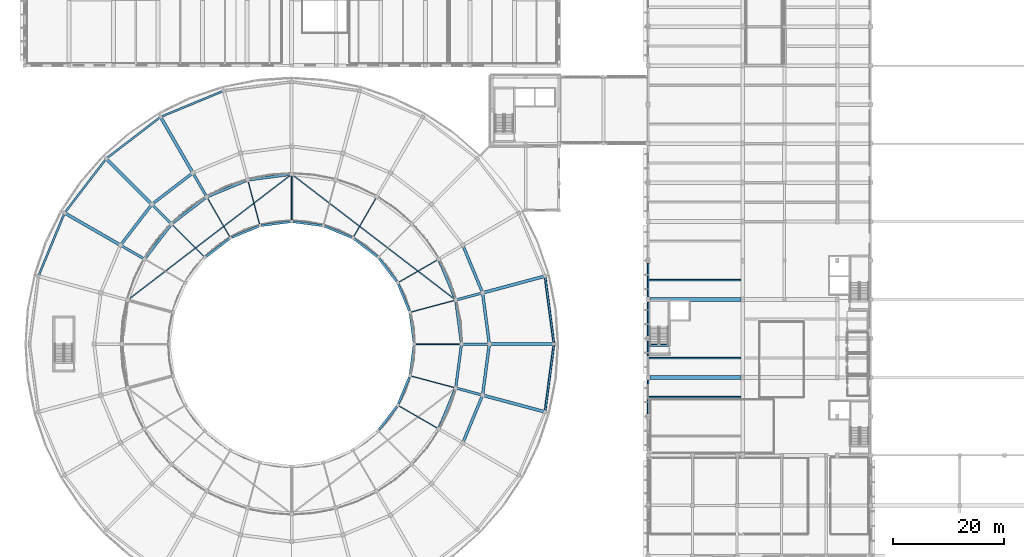
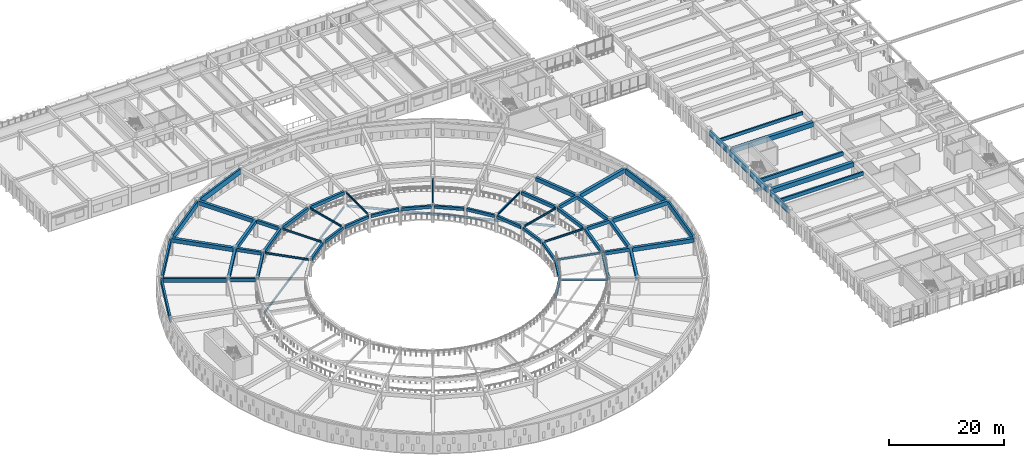
# One storey, part 14 of 98: 66 beams.
"""IFC4 building model written with IfcOpenShell, lengths in metres."""

from ifc_helpers import new_model, si_unit, direction, frame, origin, origin_2d, place, context, subcontext, project, spatial, rectangle, i_section, extrude, material, material_profile, profile_set, type_object, element, save


model = new_model("IFC4")

# Units and contexts
model_context = context("Model", 3, precision=1e-05, world=origin(), true_north=direction((0.0, 1.0)))
body_context = subcontext(model_context, "Body", "Model", "MODEL_VIEW")
ifc_project = project(units=[si_unit("LENGTHUNIT", "METRE"), si_unit("AREAUNIT", "SQUARE_METRE"), si_unit("VOLUMEUNIT", "CUBIC_METRE"), si_unit("PLANEANGLEUNIT", "RADIAN"), si_unit("MASSUNIT", "GRAM", prefix="KILO")], contexts=[model_context])

# Site, building, storey
site_placement = place(None, origin())
site = spatial("IfcSite", under=ifc_project, at=site_placement, CompositionType="ELEMENT")
building_placement = place(site_placement, origin())
building = spatial("IfcBuilding", under=site, at=building_placement, Name="Larkveld Mobility Hub", CompositionType="ELEMENT")
storey_placement = place(building_placement, frame((0.0, 0.0, 4.5)))
storey = spatial("IfcBuildingStorey", under=building, at=storey_placement, Name="L01", CompositionType="ELEMENT", Elevation=4.5)

# Beams
ifc_material_1 = material(Name="Precast concrete C50/60", Category="concrete")
ifc_material_profile_1 = material_profile(ifc_material_1, rectangle(XDim=0.280029296875, YDim=0.64990234375, at=origin_2d()), Name="PC DT 280x650")
ifc_profile_set_1 = profile_set([ifc_material_profile_1], Name="Precast concrete C50/60")
beam_type_1 = type_object("IfcBeamType", Name="BM-DT2865", PredefinedType="T_BEAM", material=ifc_profile_set_1)
beam_1_placement = place(storey_placement, frame((112.169921875, 59.5, 3.344970703125), z_axis=(1.0, 0.0, 0.0), x_axis=(0.0, 1.0, 0.0)))
element("IfcBeam", 1, at=beam_1_placement, inside=storey, type_object=beam_type_1, Name="Precast Double-Tee Stem L01-1056", PredefinedType="T_BEAM", context=body_context, shape_type="SweptSolid", body=[
    extrude(rectangle(XDim=0.280029296875, YDim=0.64990234375, at=origin_2d()), origin(), (0.0, 0.0, 1.0), 16.510009765625),
])
ifc_material_profile_2 = material_profile(ifc_material_1, rectangle(XDim=0.320068359375, YDim=0.75, at=origin_2d()), Name="PC DT 320x750")
ifc_profile_set_2 = profile_set([ifc_material_profile_2], Name="Precast concrete C50/60")
beam_type_2 = type_object("IfcBeamType", Name="BM-DT3275", PredefinedType="T_BEAM", material=ifc_profile_set_2)
beam_2_placement = place(storey_placement, frame((112.169921875, 38.5, 3.294921875), z_axis=(1.0, 0.0, 0.0), x_axis=(0.0, 1.0, 0.0)))
element("IfcBeam", 2, at=beam_2_placement, inside=storey, type_object=beam_type_2, Name="Precast Double-Tee Stem L01-1050", PredefinedType="T_BEAM", context=body_context, shape_type="SweptSolid", body=[
    extrude(rectangle(XDim=0.320068359375, YDim=0.75, at=origin_2d()), origin(), (0.0, 0.0, 1.0), 16.510009765625),
])
ifc_material_profile_3 = material_profile(ifc_material_1, rectangle(XDim=0.340087890625, YDim=0.800048828125, at=origin_2d()), Name="PC DT 340x800")
ifc_profile_set_3 = profile_set([ifc_material_profile_3], Name="Precast concrete C50/60")
beam_type_3 = type_object("IfcBeamType", Name="BM-DT3480", PredefinedType="T_BEAM", material=ifc_profile_set_3)
beam_3_placement = place(storey_placement, frame((112.169921875, 45.5, 3.27001953125), z_axis=(1.0, 0.0, 0.0), x_axis=(0.0, 1.0, 0.0)))
element("IfcBeam", 3, at=beam_3_placement, inside=storey, type_object=beam_type_3, Name="Precast Double-Tee Stem L01-1051", PredefinedType="T_BEAM", context=body_context, shape_type="SweptSolid", body=[
    extrude(rectangle(XDim=0.340087890625, YDim=0.800048828125, at=origin_2d()), origin(), (0.0, 0.0, 1.0), 16.510009765625),
])
ifc_material_profile_4 = material_profile(ifc_material_1, rectangle(XDim=0.64990234375, YDim=0.949951171875, at=origin_2d()), Name="PC ITB 650x950")
ifc_profile_set_4 = profile_set([ifc_material_profile_4], Name="Precast concrete C50/60")
beam_type_4 = type_object("IfcBeamType", Name="BM-ITB6595", PredefinedType="T_BEAM", material=ifc_profile_set_4)
for number, where, z_axis, x_axis, name in (
    (4, (112.324951171875, 42.0, 3.18505859375), (1.0, 0.0, 0.0), (0.0, 1.0, 0.0), "Primary E-W Girder L01-0268"),
    (5, (112.324951171875, 56.0, 3.18505859375), (1.0, 0.0, 0.0), (0.0, 1.0, 0.0), "Primary E-W Girder L01-0272"),
):
    element("IfcBeam", number, at=place(storey_placement, frame(where, z_axis=z_axis, x_axis=x_axis)), inside=storey, type_object=beam_type_4, Name=name, PredefinedType="T_BEAM", context=body_context, shape_type="SweptSolid", body=[
        extrude(rectangle(XDim=0.64990234375, YDim=0.949951171875, at=origin_2d()), origin(), (0.0, 0.0, 1.0), 16.35009765625),
    ])
ifc_material_2 = material(Name="Concrete C40/50", Category="concrete")
ifc_material_profile_5 = material_profile(ifc_material_2, rectangle(XDim=0.35009765625, YDim=0.550048828125, at=origin_2d()), Name="RC BM 350x550")
ifc_profile_set_5 = profile_set([ifc_material_profile_5], Name="Concrete C40/50")
beam_type_5 = type_object("IfcBeamType", Name="BM-RC3555", PredefinedType="BEAM", material=ifc_profile_set_5)
beam_4_placement = place(storey_placement, frame((112.330078125, 47.760009765625, -0.27001953125), z_axis=(1.0, 0.0, 0.0), x_axis=(0.0, 1.0, 0.0)))
element("IfcBeam", 6, at=beam_4_placement, inside=storey, type_object=beam_type_5, Name="Core C3 Stair Header Beam L01", PredefinedType="BEAM", context=body_context, shape_type="SweptSolid", body=[
    extrude(rectangle(XDim=0.35009765625, YDim=0.550048828125, at=origin_2d()), origin(), (0.0, 0.0, 1.0), 3.329833984375),
])
ifc_material_profile_6 = material_profile(ifc_material_2, rectangle(XDim=0.39990234375, YDim=0.60009765625, at=origin_2d()), Name="RC BM 400x600")
ifc_profile_set_6 = profile_set([ifc_material_profile_6], Name="Concrete C40/50")
beam_type_6 = type_object("IfcBeamType", Name="BM-RC4060", PredefinedType="BEAM", material=ifc_profile_set_6)
beam_5_placement = place(storey_placement, frame((69.968994140625, 48.238037109375, 3.3349609375), z_axis=(-0.130717291413, 0.991419683951, 0.0), x_axis=(-0.991419683951, -0.130717291413, 0.0)))
element("IfcBeam", 7, at=beam_5_placement, inside=storey, type_object=beam_type_6, Name="Drum Chord Ring Beam L01-1454", PredefinedType="BEAM", context=body_context, shape_type="SweptSolid", body=[
    extrude(rectangle(XDim=0.39990234375, YDim=0.60009765625, at=origin_2d()), origin(), (0.0, 0.0, 1.0), 5.26318359375),
])
beam_6_placement = place(storey_placement, frame((69.157958984375, 53.916015625, 3.3349609375), z_axis=(-0.382522527323, 0.923946165147, 0.0), x_axis=(-0.923946165147, -0.382522527323, 0.0)))
element("IfcBeam", 8, at=beam_6_placement, inside=storey, type_object=beam_type_6, Name="Drum Chord Ring Beam L01-1458", PredefinedType="BEAM", context=body_context, shape_type="SweptSolid", body=[
    extrude(rectangle(XDim=0.39990234375, YDim=0.60009765625, at=origin_2d()), origin(), (0.0, 0.0, 1.0), 5.26220703125),
])
for number, where, z_axis, x_axis, name in (
    (9, (66.906982421875, 59.18994140625, 3.3349609375), (-0.608845256975, 0.793289009793, 0.0), (-0.793289009793, -0.608845256975, 0.0), "Drum Chord Ring Beam L01-1462"),
    (10, (63.365966796875, 63.701904296875, 3.3349609375), (-0.793289009793, 0.608845256975, 0.0), (-0.608845256975, -0.793289009793, 0.0), "Drum Chord Ring Beam L01-1466"),
):
    element("IfcBeam", number, at=place(storey_placement, frame(where, z_axis=z_axis, x_axis=x_axis)), inside=storey, type_object=beam_type_6, Name=name, PredefinedType="BEAM", context=body_context, shape_type="SweptSolid", body=[
        extrude(rectangle(XDim=0.39990234375, YDim=0.60009765625, at=origin_2d()), origin(), (0.0, 0.0, 1.0), 5.26416015625),
    ])
beam_7_placement = place(storey_placement, frame((58.778076171875, 67.14501953125, 3.3349609375), z_axis=(-0.923946165147, 0.382522527323, 0.0), x_axis=(-0.382522527323, -0.923946165147, 0.0)))
element("IfcBeam", 11, at=beam_7_placement, inside=storey, type_object=beam_type_6, Name="Drum Chord Ring Beam L01-1470", PredefinedType="BEAM", context=body_context, shape_type="SweptSolid", body=[
    extrude(rectangle(XDim=0.39990234375, YDim=0.60009765625, at=origin_2d()), origin(), (0.0, 0.0, 1.0), 5.26220703125),
])
for number, where, z_axis, x_axis, name in (
    (12, (53.4560546875, 69.281005859375, 3.3349609375), (-0.991419683951, 0.130717291413, 0.0), (-0.130717291413, -0.991419683951, 0.0), "Drum Chord Ring Beam L01-1474"),
    (13, (47.761962890625, 69.968994140625, 3.3349609375), (-0.991419683951, -0.130717291413, 0.0), (0.130717291413, -0.991419683951, 0.0), "Drum Chord Ring Beam L01-1478"),
):
    element("IfcBeam", number, at=place(storey_placement, frame(where, z_axis=z_axis, x_axis=x_axis)), inside=storey, type_object=beam_type_6, Name=name, PredefinedType="BEAM", context=body_context, shape_type="SweptSolid", body=[
        extrude(rectangle(XDim=0.39990234375, YDim=0.60009765625, at=origin_2d()), origin(), (0.0, 0.0, 1.0), 5.26318359375),
    ])
beam_8_placement = place(storey_placement, frame((42.083984375, 69.157958984375, 3.3349609375), z_axis=(-0.923946165147, -0.382522527323, 0.0), x_axis=(0.382522527323, -0.923946165147, 0.0)))
element("IfcBeam", 14, at=beam_8_placement, inside=storey, type_object=beam_type_6, Name="Drum Chord Ring Beam L01-1482", PredefinedType="BEAM", context=body_context, shape_type="SweptSolid", body=[
    extrude(rectangle(XDim=0.39990234375, YDim=0.60009765625, at=origin_2d()), origin(), (0.0, 0.0, 1.0), 5.26220703125),
])
for number, where, z_axis, x_axis, name in (
    (15, (36.81005859375, 66.906982421875, 3.3349609375), (-0.793289009793, -0.608845256975, 0.0), (0.608845256975, -0.793289009793, 0.0), "Drum Chord Ring Beam L01-1486"),
    (16, (63.701904296875, 32.634033203125, 3.3349609375), (0.608845256975, 0.793289009793, 0.0), (-0.793289009793, 0.608845256975, 0.0), "Drum Chord Ring Beam L01-1537"),
):
    element("IfcBeam", number, at=place(storey_placement, frame(where, z_axis=z_axis, x_axis=x_axis)), inside=storey, type_object=beam_type_6, Name=name, PredefinedType="BEAM", context=body_context, shape_type="SweptSolid", body=[
        extrude(rectangle(XDim=0.39990234375, YDim=0.60009765625, at=origin_2d()), origin(), (0.0, 0.0, 1.0), 5.26416015625),
    ])
beam_9_placement = place(storey_placement, frame((67.14501953125, 37.221923828125, 3.3349609375), z_axis=(0.382522527323, 0.923946165147, 0.0), x_axis=(-0.923946165147, 0.382522527323, 0.0)))
element("IfcBeam", 17, at=beam_9_placement, inside=storey, type_object=beam_type_6, Name="Drum Chord Ring Beam L01-1541", PredefinedType="BEAM", context=body_context, shape_type="SweptSolid", body=[
    extrude(rectangle(XDim=0.39990234375, YDim=0.60009765625, at=origin_2d()), origin(), (0.0, 0.0, 1.0), 5.26220703125),
])
beam_10_placement = place(storey_placement, frame((69.281005859375, 42.5439453125, 3.3349609375), z_axis=(0.130717291413, 0.991419683951, 0.0), x_axis=(-0.991419683951, 0.130717291413, 0.0)))
element("IfcBeam", 18, at=beam_10_placement, inside=storey, type_object=beam_type_6, Name="Drum Chord Ring Beam L01-1545", PredefinedType="BEAM", context=body_context, shape_type="SweptSolid", body=[
    extrude(rectangle(XDim=0.39990234375, YDim=0.60009765625, at=origin_2d()), origin(), (0.0, 0.0, 1.0), 5.26318359375),
])
ifc_material_profile_7 = material_profile(ifc_material_2, rectangle(XDim=0.449951171875, YDim=0.699951171875, at=origin_2d()), Name="RC BM 450x700")
ifc_profile_set_7 = profile_set([ifc_material_profile_7], Name="Concrete C40/50")
beam_type_7 = type_object("IfcBeamType", Name="BM-RC4570", PredefinedType="BEAM", material=ifc_profile_set_7)
beam_11_placement = place(storey_placement, frame((78.739990234375, 48.0, 3.284912109375), z_axis=(1.0, 0.0, 0.0), x_axis=(0.0, 1.0, 0.0)))
element("IfcBeam", 19, at=beam_11_placement, inside=storey, type_object=beam_type_7, Name="Drum Radial Girder L01-1385", PredefinedType="BEAM", context=body_context, shape_type="SweptSolid", body=[
    extrude(rectangle(XDim=0.449951171875, YDim=0.699951171875, at=origin_2d()), origin(), (0.0, 0.0, 1.0), 4.52001953125),
])
beam_12_placement = place(storey_placement, frame((77.693115234375, 55.9560546875, 3.284912109375), z_axis=(0.96590777444, 0.258886406125, 0.0), x_axis=(-0.258886406125, 0.96590777444, 0.0)))
element("IfcBeam", 20, at=beam_12_placement, inside=storey, type_object=beam_type_7, Name="Drum Radial Girder L01-1388", PredefinedType="BEAM", context=body_context, shape_type="SweptSolid", body=[
    extrude(rectangle(XDim=0.449951171875, YDim=0.699951171875, at=origin_2d()), origin(), (0.0, 0.0, 1.0), 4.51904296875),
])
beam_13_placement = place(storey_placement, frame((32.6298828125, 74.6220703125, 3.284912109375), z_axis=(-0.50002017008, 0.86601375827, 0.0), x_axis=(-0.86601375827, -0.50002017008, 0.0)))
element("IfcBeam", 21, at=beam_13_placement, inside=storey, type_object=beam_type_7, Name="Drum Radial Girder L01-1409", PredefinedType="BEAM", context=body_context, shape_type="SweptSolid", body=[
    extrude(rectangle(XDim=0.449951171875, YDim=0.699951171875, at=origin_2d()), origin(), (0.0, 0.0, 1.0), 4.519287109375),
])
beam_14_placement = place(storey_placement, frame((26.262939453125, 69.737060546875, 3.284912109375), z_axis=(-0.707106781187, 0.707106781187, 0.0), x_axis=(-0.707106781187, -0.707106781187, 0.0)))
element("IfcBeam", 22, at=beam_14_placement, inside=storey, type_object=beam_type_7, Name="Drum Radial Girder L01-1412", PredefinedType="BEAM", context=body_context, shape_type="SweptSolid", body=[
    extrude(rectangle(XDim=0.449951171875, YDim=0.699951171875, at=origin_2d()), origin(), (0.0, 0.0, 1.0), 4.51806640625),
])
beam_15_placement = place(storey_placement, frame((21.3779296875, 63.3701171875, 3.284912109375), z_axis=(-0.86601375827, 0.50002017008, 0.0), x_axis=(-0.50002017008, -0.86601375827, 0.0)))
element("IfcBeam", 23, at=beam_15_placement, inside=storey, type_object=beam_type_7, Name="Drum Radial Girder L01-1415", PredefinedType="BEAM", context=body_context, shape_type="SweptSolid", body=[
    extrude(rectangle(XDim=0.449951171875, YDim=0.699951171875, at=origin_2d()), origin(), (0.0, 0.0, 1.0), 4.519287109375),
])
beam_16_placement = place(storey_placement, frame((77.693115234375, 40.0439453125, 3.284912109375), z_axis=(0.96590777444, -0.258886406125, 0.0), x_axis=(0.258886406125, 0.96590777444, 0.0)))
element("IfcBeam", 24, at=beam_16_placement, inside=storey, type_object=beam_type_7, Name="Drum Radial Girder L01-1452", PredefinedType="BEAM", context=body_context, shape_type="SweptSolid", body=[
    extrude(rectangle(XDim=0.449951171875, YDim=0.699951171875, at=origin_2d()), origin(), (0.0, 0.0, 1.0), 4.51904296875),
])
beam_17_placement = place(storey_placement, frame((78.468994140625, 48.238037109375, 3.284912109375), z_axis=(-0.1305861874, 0.991436961012, 0.0), x_axis=(-0.991436961012, -0.1305861874, 0.0)))
element("IfcBeam", 25, at=beam_17_placement, inside=storey, type_object=beam_type_7, Name="Drum Chord Ring Beam L01-1455", PredefinedType="BEAM", context=body_context, shape_type="SweptSolid", body=[
    extrude(rectangle(XDim=0.449951171875, YDim=0.699951171875, at=origin_2d()), origin(), (0.0, 0.0, 1.0), 7.48193359375),
])
beam_18_placement = place(storey_placement, frame((77.368896484375, 56.115966796875, 3.284912109375), z_axis=(-0.382649607255, 0.923893542605, 0.0), x_axis=(-0.923893542605, -0.382649607255, 0.0)))
element("IfcBeam", 26, at=beam_18_placement, inside=storey, type_object=beam_type_7, Name="Drum Chord Ring Beam L01-1459", PredefinedType="BEAM", context=body_context, shape_type="SweptSolid", body=[
    extrude(rectangle(XDim=0.449951171875, YDim=0.699951171875, at=origin_2d()), origin(), (0.0, 0.0, 1.0), 7.4814453125),
])
beam_19_placement = place(storey_placement, frame((47.761962890625, 78.468994140625, 3.284912109375), z_axis=(-0.991436961012, -0.1305861874, 0.0), x_axis=(0.1305861874, -0.991436961012, 0.0)))
element("IfcBeam", 27, at=beam_19_placement, inside=storey, type_object=beam_type_7, Name="Drum Chord Ring Beam L01-1479", PredefinedType="BEAM", context=body_context, shape_type="SweptSolid", body=[
    extrude(rectangle(XDim=0.449951171875, YDim=0.699951171875, at=origin_2d()), origin(), (0.0, 0.0, 1.0), 7.48193359375),
])
beam_20_placement = place(storey_placement, frame((39.884033203125, 77.368896484375, 3.284912109375), z_axis=(-0.923893542605, -0.382649607255, 0.0), x_axis=(0.382649607255, -0.923893542605, 0.0)))
element("IfcBeam", 28, at=beam_20_placement, inside=storey, type_object=beam_type_7, Name="Drum Chord Ring Beam L01-1483", PredefinedType="BEAM", context=body_context, shape_type="SweptSolid", body=[
    extrude(rectangle(XDim=0.449951171875, YDim=0.699951171875, at=origin_2d()), origin(), (0.0, 0.0, 1.0), 7.4814453125),
])
for number, where, z_axis, x_axis, name in (
    (29, (32.56005859375, 74.26806640625, 3.284912109375), (-0.793382610721, -0.608723281143, 0.0), (0.608723281143, -0.793382610721, 0.0), "Drum Chord Ring Beam L01-1487"),
    (30, (26.287109375, 69.376953125, 3.284912109375), (-0.608723281143, -0.793382610721, 0.0), (0.793382610721, -0.608723281143, 0.0), "Drum Chord Ring Beam L01-1491"),
):
    element("IfcBeam", number, at=place(storey_placement, frame(where, z_axis=z_axis, x_axis=x_axis)), inside=storey, type_object=beam_type_7, Name=name, PredefinedType="BEAM", context=body_context, shape_type="SweptSolid", body=[
        extrude(rectangle(XDim=0.449951171875, YDim=0.699951171875, at=origin_2d()), origin(), (0.0, 0.0, 1.0), 7.483154296875),
    ])
beam_21_placement = place(storey_placement, frame((74.506103515625, 32.971923828125, 3.284912109375), z_axis=(0.382649607255, 0.923893542605, 0.0), x_axis=(-0.923893542605, 0.382649607255, 0.0)))
element("IfcBeam", 31, at=beam_21_placement, inside=storey, type_object=beam_type_7, Name="Drum Chord Ring Beam L01-1542", PredefinedType="BEAM", context=body_context, shape_type="SweptSolid", body=[
    extrude(rectangle(XDim=0.449951171875, YDim=0.699951171875, at=origin_2d()), origin(), (0.0, 0.0, 1.0), 7.4814453125),
])
beam_22_placement = place(storey_placement, frame((77.491943359375, 40.343994140625, 3.284912109375), z_axis=(0.1305861874, 0.991436961012, 0.0), x_axis=(-0.991436961012, 0.1305861874, 0.0)))
element("IfcBeam", 32, at=beam_22_placement, inside=storey, type_object=beam_type_7, Name="Drum Chord Ring Beam L01-1546", PredefinedType="BEAM", context=body_context, shape_type="SweptSolid", body=[
    extrude(rectangle(XDim=0.449951171875, YDim=0.699951171875, at=origin_2d()), origin(), (0.0, 0.0, 1.0), 7.48193359375),
])
ifc_material_profile_8 = material_profile(ifc_material_2, rectangle(XDim=0.5, YDim=0.800048828125, at=origin_2d()), Name="RC BM 500x800")
ifc_profile_set_8 = profile_set([ifc_material_profile_8], Name="Concrete C40/50")
beam_type_8 = type_object("IfcBeamType", Name="BM-RC5080", PredefinedType="BEAM", material=ifc_profile_set_8)
beam_23_placement = place(storey_placement, frame((83.468994140625, 48.238037109375, 3.235107421875), z_axis=(-0.130638498674, 0.991430069478, 0.0), x_axis=(-0.991430069478, -0.130638498674, 0.0)))
element("IfcBeam", 33, at=beam_23_placement, inside=storey, type_object=beam_type_8, Name="Drum Chord Ring Beam L01-1456", PredefinedType="BEAM", context=body_context, shape_type="SweptSolid", body=[
    extrude(rectangle(XDim=0.5, YDim=0.800048828125, at=origin_2d()), origin(), (0.0, 0.0, 1.0), 8.787109375),
])
beam_24_placement = place(storey_placement, frame((82.197998046875, 57.409912109375, 3.235107421875), z_axis=(-0.382625816799, 0.923903395556, 0.0), x_axis=(-0.923903395556, -0.382625816799, 0.0)))
element("IfcBeam", 34, at=beam_24_placement, inside=storey, type_object=beam_type_8, Name="Drum Chord Ring Beam L01-1460", PredefinedType="BEAM", context=body_context, shape_type="SweptSolid", body=[
    extrude(rectangle(XDim=0.5, YDim=0.800048828125, at=origin_2d()), origin(), (0.0, 0.0, 1.0), 8.786865234375),
])
for number, where, z_axis, x_axis, name in (
    (35, (30.06005859375, 78.597900390625, 3.235107421875), (-0.793357689021, -0.608755761591, 0.0), (0.608755761591, -0.793357689021, 0.0), "Drum Chord Ring Beam L01-1488"),
    (36, (22.751953125, 72.912109375, 3.235107421875), (-0.608755761591, -0.793357689021, 0.0), (0.793357689021, -0.608755761591, 0.0), "Drum Chord Ring Beam L01-1492"),
):
    element("IfcBeam", number, at=place(storey_placement, frame(where, z_axis=z_axis, x_axis=x_axis)), inside=storey, type_object=beam_type_8, Name=name, PredefinedType="BEAM", context=body_context, shape_type="SweptSolid", body=[
        extrude(rectangle(XDim=0.5, YDim=0.800048828125, at=origin_2d()), origin(), (0.0, 0.0, 1.0), 8.7880859375),
    ])
beam_25_placement = place(storey_placement, frame((78.8359375, 30.471923828125, 3.235107421875), z_axis=(0.382625816799, 0.923903395556, 0.0), x_axis=(-0.923903395556, 0.382625816799, 0.0)))
element("IfcBeam", 37, at=beam_25_placement, inside=storey, type_object=beam_type_8, Name="Drum Chord Ring Beam L01-1543", PredefinedType="BEAM", context=body_context, shape_type="SweptSolid", body=[
    extrude(rectangle(XDim=0.5, YDim=0.800048828125, at=origin_2d()), origin(), (0.0, 0.0, 1.0), 8.786865234375),
])
beam_26_placement = place(storey_placement, frame((82.321044921875, 39.050048828125, 3.235107421875), z_axis=(0.130638498674, 0.991430069478, 0.0), x_axis=(-0.991430069478, 0.130638498674, 0.0)))
element("IfcBeam", 38, at=beam_26_placement, inside=storey, type_object=beam_type_8, Name="Drum Chord Ring Beam L01-1547", PredefinedType="BEAM", context=body_context, shape_type="SweptSolid", body=[
    extrude(rectangle(XDim=0.5, YDim=0.800048828125, at=origin_2d()), origin(), (0.0, 0.0, 1.0), 8.787109375),
])
ifc_material_profile_9 = material_profile(ifc_material_2, rectangle(XDim=0.550048828125, YDim=0.85009765625, at=origin_2d()), Name="RC BM 550x850")
ifc_profile_set_9 = profile_set([ifc_material_profile_9], Name="Concrete C40/50")
beam_type_9 = type_object("IfcBeamType", Name="BM-RC5585", PredefinedType="BEAM", material=ifc_profile_set_9)
beam_27_placement = place(storey_placement, frame((83.739990234375, 48.0, 3.2099609375), z_axis=(1.0, 0.0, 0.0), x_axis=(0.0, 1.0, 0.0)))
element("IfcBeam", 39, at=beam_27_placement, inside=storey, type_object=beam_type_9, Name="Drum Radial Girder L01-1386", PredefinedType="BEAM", context=body_context, shape_type="SweptSolid", body=[
    extrude(rectangle(XDim=0.550048828125, YDim=0.85009765625, at=origin_2d()), origin(), (0.0, 0.0, 1.0), 11.1201171875),
])
for number, where, z_axis, x_axis, name in (
    (40, (82.52197265625, 57.25, 3.2099609375), (0.965928157481, 0.258810344821, 0.0), (-0.258810344821, 0.965928157481, 0.0), "Drum Radial Girder L01-1389"),
    (41, (30.1298828125, 78.951904296875, 3.2099609375), (-0.499990426839, 0.866030930781, 0.0), (-0.866030930781, -0.499990426839, 0.0), "Drum Radial Girder L01-1410"),
):
    element("IfcBeam", number, at=place(storey_placement, frame(where, z_axis=z_axis, x_axis=x_axis)), inside=storey, type_object=beam_type_9, Name=name, PredefinedType="BEAM", context=body_context, shape_type="SweptSolid", body=[
        extrude(rectangle(XDim=0.550048828125, YDim=0.85009765625, at=origin_2d()), origin(), (0.0, 0.0, 1.0), 11.119873046875),
    ])
beam_28_placement = place(storey_placement, frame((22.72802734375, 73.27197265625, 3.2099609375), z_axis=(-0.707106781187, 0.707106781187, 0.0), x_axis=(-0.707106781187, -0.707106781187, 0.0)))
element("IfcBeam", 42, at=beam_28_placement, inside=storey, type_object=beam_type_9, Name="Drum Radial Girder L01-1413", PredefinedType="BEAM", context=body_context, shape_type="SweptSolid", body=[
    extrude(rectangle(XDim=0.550048828125, YDim=0.85009765625, at=origin_2d()), origin(), (0.0, 0.0, 1.0), 11.1201171875),
])
for number, where, z_axis, x_axis, name in (
    (43, (17.048095703125, 65.8701171875, 3.2099609375), (-0.866030930781, 0.499990426839, 0.0), (-0.499990426839, -0.866030930781, 0.0), "Drum Radial Girder L01-1416"),
    (44, (82.52197265625, 38.75, 3.2099609375), (0.965928157481, -0.258810344821, 0.0), (0.258810344821, 0.965928157481, 0.0), "Drum Radial Girder L01-1453"),
):
    element("IfcBeam", number, at=place(storey_placement, frame(where, z_axis=z_axis, x_axis=x_axis)), inside=storey, type_object=beam_type_9, Name=name, PredefinedType="BEAM", context=body_context, shape_type="SweptSolid", body=[
        extrude(rectangle(XDim=0.550048828125, YDim=0.85009765625, at=origin_2d()), origin(), (0.0, 0.0, 1.0), 11.119873046875),
    ])
ifc_material_profile_10 = material_profile(ifc_material_1, rectangle(XDim=0.35009765625, YDim=1.14990234375, at=origin_2d()), Name="PC SP 350x1150")
ifc_profile_set_10 = profile_set([ifc_material_profile_10], Name="Precast concrete C50/60")
beam_type_10 = type_object("IfcBeamType", Name="BM-SP35115", PredefinedType="SPANDREL", material=ifc_profile_set_10)
for number, where, z_axis, x_axis, name in (
    (45, (112.0, 35.449951171875, 3.0849609375), (0.0, 1.0, 0.0), (-1.0, 0.0, 0.0), "Primary N-S Girder L01-0398"),
    (46, (112.0, 42.449951171875, 3.0849609375), (0.0, 1.0, 0.0), (-1.0, 0.0, 0.0), "Primary N-S Girder L01-0399"),
    (47, (112.0, 49.449951171875, 3.0849609375), (0.0, 1.0, 0.0), (-1.0, 0.0, 0.0), "Primary N-S Girder L01-0400"),
    (48, (112.0, 56.449951171875, 3.0849609375), (0.0, 1.0, 0.0), (-1.0, 0.0, 0.0), "Primary N-S Girder L01-0401"),
):
    element("IfcBeam", number, at=place(storey_placement, frame(where, z_axis=z_axis, x_axis=x_axis)), inside=storey, type_object=beam_type_10, Name=name, PredefinedType="SPANDREL", context=body_context, shape_type="SweptSolid", body=[
        extrude(rectangle(XDim=0.35009765625, YDim=1.14990234375, at=origin_2d()), origin(), (0.0, 0.0, 1.0), 6.10009765625),
    ])
beam_29_placement = place(storey_placement, frame((95.069091796875, 48.238037109375, 3.06005859375), z_axis=(-0.130613798255, 0.991433323883, 0.0), x_axis=(-0.991433323883, -0.130613798255, 0.0)))
element("IfcBeam", 49, at=beam_29_placement, inside=storey, type_object=beam_type_10, Name="Drum Chord Ring Beam L01-1457", PredefinedType="SPANDREL", context=body_context, shape_type="SweptSolid", body=[
    extrude(rectangle(XDim=0.35009765625, YDim=1.14990234375, at=origin_2d()), origin(), (0.0, 0.0, 1.0), 11.815185546875),
])
beam_30_placement = place(storey_placement, frame((35.587890625, 93.403076171875, 3.06005859375), z_axis=(-0.923893431655, -0.38264987514, 0.0), x_axis=(0.38264987514, -0.923893431655, 0.0)))
element("IfcBeam", 50, at=beam_30_placement, inside=storey, type_object=beam_type_10, Name="Drum Chord Ring Beam L01-1485", PredefinedType="SPANDREL", context=body_context, shape_type="SweptSolid", body=[
    extrude(rectangle(XDim=0.35009765625, YDim=1.14990234375, at=origin_2d()), origin(), (0.0, 0.0, 1.0), 11.81494140625),
])
for number, where, z_axis, x_axis, name in (
    (51, (24.260009765625, 88.64404296875, 3.06005859375), (-0.79337685225, -0.608730786402, 0.0), (0.608730786402, -0.79337685225, 0.0), "Drum Chord Ring Beam L01-1489"),
    (52, (14.549072265625, 81.114990234375, 3.06005859375), (-0.608730786402, -0.79337685225, 0.0), (0.79337685225, -0.608730786402, 0.0), "Drum Chord Ring Beam L01-1493"),
):
    element("IfcBeam", number, at=place(storey_placement, frame(where, z_axis=z_axis, x_axis=x_axis)), inside=storey, type_object=beam_type_10, Name=name, PredefinedType="SPANDREL", context=body_context, shape_type="SweptSolid", body=[
        extrude(rectangle(XDim=0.35009765625, YDim=1.14990234375, at=origin_2d()), origin(), (0.0, 0.0, 1.0), 11.816650390625),
    ])
beam_31_placement = place(storey_placement, frame((7.117919921875, 71.327880859375, 3.06005859375), z_axis=(-0.38264987514, -0.923893431655, 0.0), x_axis=(0.923893431655, -0.38264987514, 0.0)))
element("IfcBeam", 53, at=beam_31_placement, inside=storey, type_object=beam_type_10, Name="Drum Chord Ring Beam L01-1497", PredefinedType="SPANDREL", context=body_context, shape_type="SweptSolid", body=[
    extrude(rectangle(XDim=0.35009765625, YDim=1.14990234375, at=origin_2d()), origin(), (0.0, 0.0, 1.0), 11.81494140625),
])
beam_32_placement = place(storey_placement, frame((93.52587890625, 36.048095703125, 3.06005859375), z_axis=(0.130613798255, 0.991433323883, 0.0), x_axis=(-0.991433323883, 0.130613798255, 0.0)))
element("IfcBeam", 54, at=beam_32_placement, inside=storey, type_object=beam_type_10, Name="Drum Chord Ring Beam L01-1548", PredefinedType="SPANDREL", context=body_context, shape_type="SweptSolid", body=[
    extrude(rectangle(XDim=0.35009765625, YDim=1.14990234375, at=origin_2d()), origin(), (0.0, 0.0, 1.0), 11.815185546875),
])
ifc_material_3 = material(Name="Steel S355JR", Category="steel")
ifc_material_profile_11 = material_profile(ifc_material_3, i_section(OverallWidth=0.179931640625, OverallDepth=0.39990234375, WebThickness=0.008544921875, FlangeThickness=0.013427734375, FilletRadius=0.02099609375, at=origin_2d()), Name="IPE 400")
ifc_profile_set_11 = profile_set([ifc_material_profile_11], Name="Steel S355JR")
beam_type_11 = type_object("IfcBeamType", Name="BM-STIPE400", PredefinedType="BEAM", material=ifc_profile_set_11)
beam_33_placement = place(storey_placement, frame((70.239990234375, 48.0, 3.43505859375), z_axis=(1.0, 0.0, 0.0), x_axis=(0.0, 1.0, 0.0)))
element("IfcBeam", 55, at=beam_33_placement, inside=storey, type_object=beam_type_11, Name="Drum Radial Girder L01-1384", PredefinedType="BEAM", context=body_context, shape_type="SweptSolid", body=[
    extrude(i_section(OverallWidth=0.179931640625, OverallDepth=0.39990234375, WebThickness=0.008544921875, FlangeThickness=0.013427734375, FilletRadius=0.02099609375, at=origin_2d()), origin(), (0.0, 0.0, 1.0), 8.02001953125),
])
beam_34_placement = place(storey_placement, frame((69.48193359375, 53.756103515625, 3.43505859375), z_axis=(0.96592250653, 0.258831434294, 0.0), x_axis=(-0.258831434294, 0.96592250653, 0.0)))
element("IfcBeam", 56, at=beam_34_placement, inside=storey, type_object=beam_type_11, Name="Drum Radial Girder L01-1387", PredefinedType="BEAM", context=body_context, shape_type="SweptSolid", body=[
    extrude(i_section(OverallWidth=0.179931640625, OverallDepth=0.39990234375, WebThickness=0.008544921875, FlangeThickness=0.013427734375, FilletRadius=0.02099609375, at=origin_2d()), origin(), (0.0, 0.0, 1.0), 8.020263671875),
])
for number, where, z_axis, x_axis, name in (
    (57, (67.260986328125, 59.1201171875, 3.43505859375), (0.86602386286, 0.50000266895, 0.0), (-0.50000266895, 0.86602386286, 0.0), "Drum Radial Girder L01-1390"),
    (58, (59.1201171875, 67.260986328125, 3.43505859375), (0.50000266895, 0.86602386286, 0.0), (-0.86602386286, 0.50000266895, 0.0), "Drum Radial Girder L01-1396"),
):
    element("IfcBeam", number, at=place(storey_placement, frame(where, z_axis=z_axis, x_axis=x_axis)), inside=storey, type_object=beam_type_11, Name=name, PredefinedType="BEAM", context=body_context, shape_type="SweptSolid", body=[
        extrude(i_section(OverallWidth=0.179931640625, OverallDepth=0.39990234375, WebThickness=0.008544921875, FlangeThickness=0.013427734375, FilletRadius=0.02099609375, at=origin_2d()), origin(), (0.0, 0.0, 1.0), 8.01953125),
    ])
beam_35_placement = place(storey_placement, frame((48.0, 70.239990234375, 3.43505859375), z_axis=(0.0, 1.0, 0.0), x_axis=(-1.0, 0.0, 0.0)))
element("IfcBeam", 59, at=beam_35_placement, inside=storey, type_object=beam_type_11, Name="Drum Radial Girder L01-1402", PredefinedType="BEAM", context=body_context, shape_type="SweptSolid", body=[
    extrude(i_section(OverallWidth=0.179931640625, OverallDepth=0.39990234375, WebThickness=0.008544921875, FlangeThickness=0.013427734375, FilletRadius=0.02099609375, at=origin_2d()), origin(), (0.0, 0.0, 1.0), 8.02001953125),
])
beam_36_placement = place(storey_placement, frame((42.243896484375, 69.48193359375, 3.43505859375), z_axis=(-0.258831434294, 0.96592250653, 0.0), x_axis=(-0.96592250653, -0.258831434294, 0.0)))
element("IfcBeam", 60, at=beam_36_placement, inside=storey, type_object=beam_type_11, Name="Drum Radial Girder L01-1405", PredefinedType="BEAM", context=body_context, shape_type="SweptSolid", body=[
    extrude(i_section(OverallWidth=0.179931640625, OverallDepth=0.39990234375, WebThickness=0.008544921875, FlangeThickness=0.013427734375, FilletRadius=0.02099609375, at=origin_2d()), origin(), (0.0, 0.0, 1.0), 8.020263671875),
])
beam_37_placement = place(storey_placement, frame((36.8798828125, 67.260986328125, 3.43505859375), z_axis=(-0.50000266895, 0.86602386286, 0.0), x_axis=(-0.86602386286, -0.50000266895, 0.0)))
element("IfcBeam", 61, at=beam_37_placement, inside=storey, type_object=beam_type_11, Name="Drum Radial Girder L01-1408", PredefinedType="BEAM", context=body_context, shape_type="SweptSolid", body=[
    extrude(i_section(OverallWidth=0.179931640625, OverallDepth=0.39990234375, WebThickness=0.008544921875, FlangeThickness=0.013427734375, FilletRadius=0.02099609375, at=origin_2d()), origin(), (0.0, 0.0, 1.0), 8.01953125),
])
beam_38_placement = place(storey_placement, frame((32.27392578125, 63.72607421875, 3.43505859375), z_axis=(-0.707106781187, 0.707106781187, 0.0), x_axis=(-0.707106781187, -0.707106781187, 0.0)))
element("IfcBeam", 62, at=beam_38_placement, inside=storey, type_object=beam_type_11, Name="Drum Radial Girder L01-1411", PredefinedType="BEAM", context=body_context, shape_type="SweptSolid", body=[
    extrude(i_section(OverallWidth=0.179931640625, OverallDepth=0.39990234375, WebThickness=0.008544921875, FlangeThickness=0.013427734375, FilletRadius=0.02099609375, at=origin_2d()), origin(), (0.0, 0.0, 1.0), 8.019775390625),
])
beam_39_placement = place(storey_placement, frame((67.260986328125, 36.8798828125, 3.239990234375), z_axis=(0.86602386286, -0.50000266895, 0.0), x_axis=(0.50000266895, 0.86602386286, 0.0)))
element("IfcBeam", 63, at=beam_39_placement, inside=storey, type_object=beam_type_11, Name="Drum Radial Girder L01-1448", PredefinedType="BEAM", context=body_context, shape_type="SweptSolid", body=[
    extrude(i_section(OverallWidth=0.179931640625, OverallDepth=0.39990234375, WebThickness=0.008544921875, FlangeThickness=0.013427734375, FilletRadius=0.02099609375, at=origin_2d()), origin(), (0.0, 0.0, 1.0), 8.01953125),
])
beam_40_placement = place(storey_placement, frame((69.48193359375, 42.243896484375, 3.43505859375), z_axis=(0.96592250653, -0.258831434294, 0.0), x_axis=(0.258831434294, 0.96592250653, 0.0)))
element("IfcBeam", 64, at=beam_40_placement, inside=storey, type_object=beam_type_11, Name="Drum Radial Girder L01-1451", PredefinedType="BEAM", context=body_context, shape_type="SweptSolid", body=[
    extrude(i_section(OverallWidth=0.179931640625, OverallDepth=0.39990234375, WebThickness=0.008544921875, FlangeThickness=0.013427734375, FilletRadius=0.02099609375, at=origin_2d()), origin(), (0.0, 0.0, 1.0), 8.020263671875),
])
ifc_material_profile_12 = material_profile(ifc_material_3, i_section(OverallWidth=0.199951171875, OverallDepth=0.5, WebThickness=0.01025390625, FlangeThickness=0.01611328125, FilletRadius=0.02099609375, at=origin_2d()), Name="IPE 500")
ifc_profile_set_12 = profile_set([ifc_material_profile_12], Name="Steel S355JR")
beam_type_12 = type_object("IfcBeamType", Name="BM-STIPE500", PredefinedType="BEAM", material=ifc_profile_set_12)
for number, where, z_axis, x_axis, name in (
    (65, (77.239013671875, 56.06396484375, -0.544921875), (-0.793064869092, 0.608554210973, 0.026643680669), (-0.608770328015, -0.793346511764, 0.0), "Helical Ramp Stringer Beam L01-1761"),
    (66, (47.778076171875, 78.330078125, 0.429931640625), (-0.793064728081, -0.608554102769, 0.026650348528), (0.608770328015, -0.793346511764, 0.0), "Helical Ramp Stringer Beam L01-1762"),
):
    element("IfcBeam", number, at=place(storey_placement, frame(where, z_axis=z_axis, x_axis=x_axis)), inside=storey, type_object=beam_type_12, Name=name, PredefinedType="BEAM", context=body_context, shape_type="SweptSolid", body=[
        extrude(i_section(OverallWidth=0.199951171875, OverallDepth=0.5, WebThickness=0.01025390625, FlangeThickness=0.01611328125, FilletRadius=0.02099609375, at=origin_2d()), origin(), (0.0, 0.0, 1.0), 36.588623046875),
    ])

save(model, "model.ifc")
